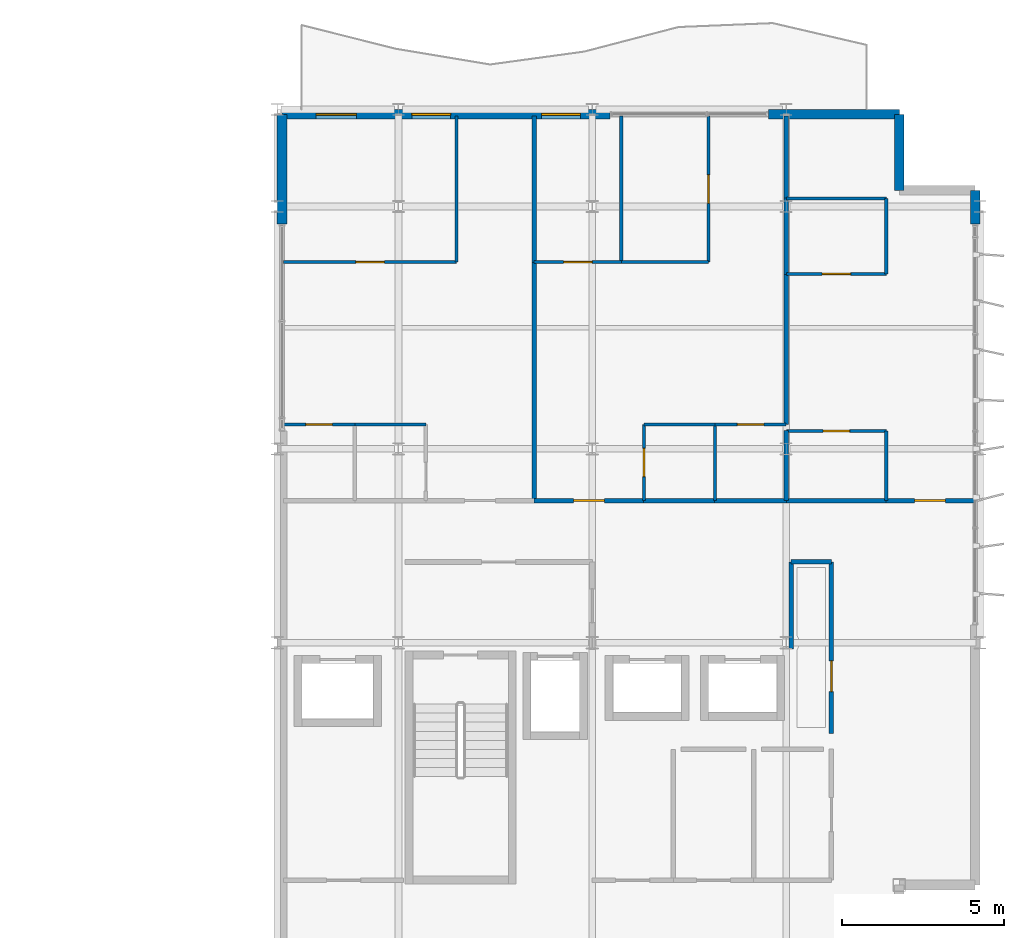
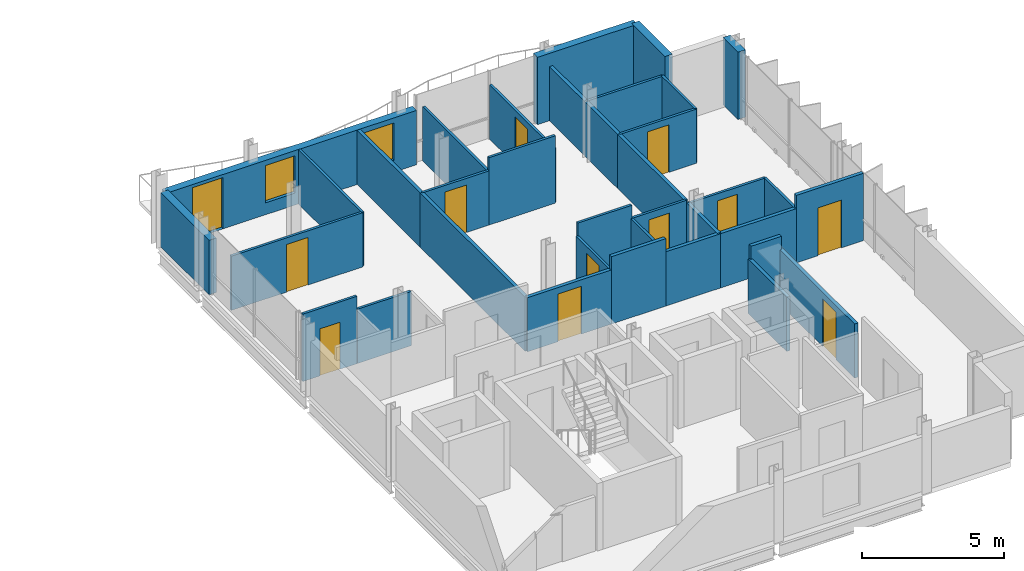
# One storey, part 25 of 30: 36 walls, 12 doors, 2 windows, 14 openings.
"""IFC4 building model written with IfcOpenShell, lengths in metres."""

from ifc_helpers import new_model, si_unit, direction, frame, frame_2d, origin, place, context, subcontext, project, spatial, rectangle, extrude, material, layer, layer_set, type_object, element, fill, save


model = new_model("IFC4")

# Units and contexts
model_context = context("Model", 3, precision=1e-05, world=origin(), true_north=direction((0.0, 1.0)))
body_context = subcontext(model_context, "Body", "Model", "MODEL_VIEW")
ifc_project = project(units=[si_unit("LENGTHUNIT", "METRE"), si_unit("AREAUNIT", "SQUARE_METRE"), si_unit("VOLUMEUNIT", "CUBIC_METRE"), si_unit("PLANEANGLEUNIT", "RADIAN"), si_unit("MASSUNIT", "GRAM", prefix="KILO")], contexts=[model_context])

# Site, building, storey
site_placement = place(None, origin())
site = spatial("IfcSite", under=ifc_project, at=site_placement, CompositionType="ELEMENT")
building_placement = place(site_placement, origin())
building = spatial("IfcBuilding", under=site, at=building_placement, Name="Brevholm Reach", CompositionType="ELEMENT")
storey_placement = place(building_placement, frame((0.0, 0.0, 204.89990234375)))
storey = spatial("IfcBuildingStorey", under=building, at=storey_placement, Name="L62", CompositionType="ELEMENT", Elevation=204.89990234375)

# Walls
ifc_material_1 = material(Name="Concrete C40/50", Category="concrete")
ifc_layer_1 = layer(ifc_material_1, 0.300048828125)
ifc_layer_set_1 = layer_set([ifc_layer_1], Name="Concrete C40/50")
wall_type_1 = type_object("IfcWallType", Name="WAL-EXT-300", PredefinedType="STANDARD", material=ifc_layer_set_1)
wall_1_placement = place(storey_placement, frame((57.5, 24.0, 0.0), z_axis=(0.0, 0.0, 1.0), x_axis=(0.0, 1.0, 0.0)))
element("IfcWall", 1, at=wall_1_placement, inside=storey, type_object=wall_type_1, Name="L62 Facade Wall WAL-L62-EW-CNE2", PredefinedType="STANDARD", context=body_context, shape_type="SweptSolid", body=[
    extrude(rectangle(XDim=2.35009765625, YDim=0.300048828125, at=frame_2d((1.175048828125, 0.0))), origin(), (0.0, 0.0, 1.0), 2.89013671875),
])
wall_2_placement = place(storey_placement, frame((38.39990234375, 26.35009765625, 0.0), z_axis=(0.0, 0.0, 1.0), x_axis=(0.0, -1.0, 0.0)))
element("IfcWall", 2, at=wall_2_placement, inside=storey, type_object=wall_type_1, Name="L62 Facade Wall WAL-L62-VP-EN", PredefinedType="STANDARD", context=body_context, shape_type="SweptSolid", body=[
    extrude(rectangle(XDim=3.400146484375, YDim=0.300048828125, at=frame_2d((1.7001953125, 0.0))), origin(), (0.0, 0.0, 1.0), 2.33203125),
])
wall_3_placement = place(storey_placement, frame((59.85009765625, 22.949951171875, 0.0), z_axis=(0.0, 0.0, 1.0), x_axis=(0.0, 1.0, 0.0)))
element("IfcWall", 3, at=wall_3_placement, inside=storey, type_object=wall_type_1, Name="L62 Facade Wall WAL-L62-EW-EN", PredefinedType="STANDARD", context=body_context, shape_type="SweptSolid", body=[
    extrude(rectangle(XDim=1.050048828125, YDim=0.300048828125, at=frame_2d((0.52490234375, 0.0))), origin(), (0.0, 0.0, 1.0), 2.89013671875),
])

# Wall, openings, door, windows
wall_4_placement = place(storey_placement, frame((38.39990234375, 26.35009765625, 0.0), z_axis=(0.0, 0.0, 1.0), x_axis=(1.0, 0.0, 0.0)))
wall_4 = element("IfcWall", 4, at=wall_4_placement, inside=storey, type_object=wall_type_1, Name="L62 Facade Wall WAL-L62-EW-NP1", PredefinedType="STANDARD", context=body_context, shape_type="SweptSolid", body=[
    extrude(rectangle(XDim=10.150146484375, YDim=0.300048828125, at=frame_2d((5.0751953125, 0.0))), origin(), (0.0, 0.0, 1.0), 2.33203125),
])
opening_1_placement = place(wall_4_placement, frame((1.051025390625, 0.0, 0.0)))
opening_1 = element("IfcOpeningElement", 5, at=opening_1_placement, cuts=wall_4, Name="Opening BD-02", PredefinedType="OPENING", context=body_context, shape_type="SweptSolid", body=[
    extrude(rectangle(XDim=1.25, YDim=2.199951171875, at=frame_2d((0.625, 1.10009765625))), frame((0.0, 0.159912109375, 0.0), z_axis=(0.0, -1.0, 0.0), x_axis=(1.0, 0.0, 0.0)), (0.0, 0.0, 1.0), 0.320068359375),
])
opening_2_placement = place(wall_4_placement, frame((4.02001953125, 0.0, 0.511962890625)))
opening_2 = element("IfcOpeningElement", 6, at=opening_2_placement, cuts=wall_4, Name="Opening WN-08", PredefinedType="OPENING", context=body_context, shape_type="SweptSolid", body=[
    extrude(rectangle(XDim=1.199951171875, YDim=1.60009765625, at=frame_2d((0.60009765625, 0.800048828125))), frame((0.0, 0.159912109375, 0.0), z_axis=(0.0, -1.0, 0.0), x_axis=(1.0, 0.0, 0.0)), (0.0, 0.0, 1.0), 0.320068359375),
])
opening_3_placement = place(wall_4_placement, frame((8.03125, 0.0, 0.511962890625)))
opening_3 = element("IfcOpeningElement", 7, at=opening_3_placement, cuts=wall_4, Name="Opening WN-08", PredefinedType="OPENING", context=body_context, shape_type="SweptSolid", body=[
    extrude(rectangle(XDim=1.199951171875, YDim=1.60009765625, at=frame_2d((0.60009765625, 0.800048828125))), frame((0.0, 0.159912109375, 0.0), z_axis=(0.0, -1.0, 0.0), x_axis=(1.0, 0.0, 0.0)), (0.0, 0.0, 1.0), 0.320068359375),
])
ifc_material_2 = material(Name="Dark Anodised Aluminium and Triple-Glazed Glass", Category="aluminium")
door_type_1 = type_object("IfcDoorType", Name="DOR-BALC-1250", OperationType="NOTDEFINED", PredefinedType="DOOR", material=ifc_material_2)
door_1_placement = place(opening_1_placement, origin())
door_1 = element("IfcDoor", 8, at=door_1_placement, inside=storey, type_object=door_type_1, Name="L62 Exterior Door DOR-L62-BL-NE", OperationType="SINGLE_SWING_LEFT", OverallHeight=2.199951171875, OverallWidth=1.25, PredefinedType="DOOR", context=body_context, shape_type="SweptSolid", body=[
    extrude(rectangle(XDim=1.25, YDim=2.199951171875, at=frame_2d((0.625, 1.10009765625))), frame((0.0, 0.02490234375, 0.0), z_axis=(0.0, -1.0, 0.0), x_axis=(1.0, 0.0, 0.0)), (0.0, 0.0, 1.0), 0.050048828125),
])
fill(opening_1, door_1)
ifc_material_3 = material(Name="Dark Anodised Aluminium and Solar-Control IGU Glass", Category="aluminium")
window_type = type_object("IfcWindowType", Name="WIN-RES-1200", PartitioningType="SINGLE_PANEL", PredefinedType="WINDOW", material=ifc_material_3)
window_1_placement = place(opening_2_placement, origin())
window_1 = element("IfcWindow", 9, at=window_1_placement, inside=storey, type_object=window_type, Name="L62 Window WIN-L62-EW-NP1", OverallHeight=1.60009765625, OverallWidth=1.199951171875, PartitioningType="SINGLE_PANEL", PredefinedType="WINDOW", context=body_context, shape_type="SweptSolid", body=[
    extrude(rectangle(XDim=1.199951171875, YDim=1.60009765625, at=frame_2d((0.60009765625, 0.800048828125))), frame((0.0, 0.030029296875, 0.0), z_axis=(0.0, -1.0, 0.0), x_axis=(1.0, 0.0, 0.0)), (0.0, 0.0, 1.0), 0.06005859375),
])
fill(opening_2, window_1)
window_2_placement = place(opening_3_placement, origin())
window_2 = element("IfcWindow", 10, at=window_2_placement, inside=storey, type_object=window_type, Name="L62 Bedroom Window 063", OverallHeight=1.60009765625, OverallWidth=1.199951171875, PartitioningType="SINGLE_PANEL", PredefinedType="WINDOW", context=body_context, shape_type="SweptSolid", body=[
    extrude(rectangle(XDim=1.199951171875, YDim=1.60009765625, at=frame_2d((0.60009765625, 0.800048828125))), frame((0.0, 0.030029296875, 0.0), z_axis=(0.0, -1.0, 0.0), x_axis=(1.0, 0.0, 0.0)), (0.0, 0.0, 1.0), 0.06005859375),
])
fill(opening_3, window_2)

# Wall
wall_5_placement = place(storey_placement, frame((53.449951171875, 26.35009765625, 0.0), z_axis=(0.0, 0.0, 1.0), x_axis=(1.0, 0.0, 0.0)))
element("IfcWall", 11, at=wall_5_placement, inside=storey, type_object=wall_type_1, Name="L62 Facade Wall WAL-L62-EW-NP2", PredefinedType="STANDARD", context=body_context, shape_type="SweptSolid", body=[
    extrude(rectangle(XDim=4.050048828125, YDim=0.300048828125, at=frame_2d((2.02490234375, 0.0))), origin(), (0.0, 0.0, 1.0), 2.89013671875),
])

# Wall, opening, door
ifc_material_4 = material(Name="Moisture-Resistant Acoustic Gypsum Stud Partition 100 mm", Category="gypsum")
ifc_layer_2 = layer(ifc_material_4, 0.10009765625)
ifc_layer_set_2 = layer_set([ifc_layer_2], Name="Moisture-Resistant Acoustic Gypsum Stud Partition 100 mm")
wall_type_2 = type_object("IfcWallType", Name="WAL-PRT-100", PredefinedType="PARTITIONING", material=ifc_layer_set_2)
wall_6_placement = place(storey_placement, frame((38.449951171875, 16.75, 0.0), z_axis=(0.0, 0.0, 1.0), x_axis=(1.0, 0.0, 0.0)))
wall_6 = element("IfcWall", 12, at=wall_6_placement, inside=storey, type_object=wall_type_2, Name="L62 Internal Partition 071", PredefinedType="PARTITIONING", context=body_context, shape_type="SweptSolid", body=[
    extrude(rectangle(XDim=2.199951171875, YDim=0.10009765625, at=frame_2d((1.10009765625, 0.0))), origin(), (0.0, 0.0, 1.0), 2.89013671875),
])
opening_4_placement = place(wall_6_placement, frame((0.68994140625, 0.0, 0.0)))
opening_4 = element("IfcOpeningElement", 13, at=opening_4_placement, cuts=wall_6, Name="Opening ID-03", PredefinedType="OPENING", context=body_context, shape_type="SweptSolid", body=[
    extrude(rectangle(XDim=0.820068359375, YDim=2.02001953125, at=frame_2d((0.41015625, 1.010009765625))), frame((0.0, 0.06005859375, 0.0), z_axis=(0.0, -1.0, 0.0), x_axis=(1.0, 0.0, 0.0)), (0.0, 0.0, 1.0), 0.1201171875),
])
ifc_material_5 = material(Name="Moisture-Resistant Painted Timber Internal Bathroom Door", Category="wood")
door_type_2 = type_object("IfcDoorType", Name="DOR-BATH-820", OperationType="NOTDEFINED", PredefinedType="DOOR", material=ifc_material_5)
door_2_placement = place(opening_4_placement, origin())
door_2 = element("IfcDoor", 14, at=door_2_placement, inside=storey, type_object=door_type_2, Name="L62 Internal Door 032", OperationType="SINGLE_SWING_LEFT", OverallHeight=2.02001953125, OverallWidth=0.820068359375, PredefinedType="DOOR", context=body_context, shape_type="SweptSolid", body=[
    extrude(rectangle(XDim=0.820068359375, YDim=2.02001953125, at=frame_2d((0.41015625, 1.010009765625))), frame((0.0, 0.02490234375, 0.0), z_axis=(0.0, -1.0, 0.0), x_axis=(1.0, 0.0, 0.0)), (0.0, 0.0, 1.0), 0.050048828125),
])
fill(opening_4, door_2)

# Wall
wall_7_placement = place(storey_placement, frame((40.654052734375, 16.75, 0.0), z_axis=(0.0, 0.0, 1.0), x_axis=(1.0, 0.0, 0.0)))
element("IfcWall", 15, at=wall_7_placement, inside=storey, type_object=wall_type_2, Name="L62 Internal Partition 073", PredefinedType="PARTITIONING", context=body_context, shape_type="SweptSolid", body=[
    extrude(rectangle(XDim=2.196044921875, YDim=0.10009765625, at=frame_2d((1.09814453125, 0.0))), origin(), (0.0, 0.0, 1.0), 2.32568359375),
])

# Wall, opening, door
wall_8_placement = place(storey_placement, frame((38.449951171875, 21.778076171875, 0.0), z_axis=(0.0, 0.0, 1.0), x_axis=(1.0, 0.0, 0.0)))
wall_8 = element("IfcWall", 16, at=wall_8_placement, inside=storey, type_object=wall_type_2, Name="L62 Internal Partition 074", PredefinedType="PARTITIONING", context=body_context, shape_type="SweptSolid", body=[
    extrude(rectangle(XDim=5.35009765625, YDim=0.10009765625, at=frame_2d((2.675048828125, 0.0))), origin(), (0.0, 0.0, 1.0), 2.32568359375),
])
opening_5_placement = place(wall_8_placement, frame((2.235107421875, 0.0, 0.0)))
opening_5 = element("IfcOpeningElement", 17, at=opening_5_placement, cuts=wall_8, Name="Opening ID-01", PredefinedType="OPENING", context=body_context, shape_type="SweptSolid", body=[
    extrude(rectangle(XDim=0.8798828125, YDim=2.0400390625, at=frame_2d((0.43994140625, 1.02001953125))), frame((0.0, 0.06005859375, 0.0), z_axis=(0.0, -1.0, 0.0), x_axis=(1.0, 0.0, 0.0)), (0.0, 0.0, 1.0), 0.1201171875),
])
ifc_material_6 = material(Name="Lacquered Ash Solid-Core Acoustic Internal Door", Category="timber")
door_type_3 = type_object("IfcDoorType", Name="DOR-INT-880", OperationType="NOTDEFINED", PredefinedType="DOOR", material=ifc_material_6)
door_3_placement = place(opening_5_placement, origin())
door_3 = element("IfcDoor", 18, at=door_3_placement, inside=storey, type_object=door_type_3, Name="L62 Internal Door 034", OperationType="SINGLE_SWING_LEFT", OverallHeight=2.0400390625, OverallWidth=0.8798828125, PredefinedType="DOOR", context=body_context, shape_type="SweptSolid", body=[
    extrude(rectangle(XDim=0.8798828125, YDim=2.0400390625, at=frame_2d((0.43994140625, 1.02001953125))), frame((0.0, 0.02490234375, 0.0), z_axis=(0.0, -1.0, 0.0), x_axis=(1.0, 0.0, 0.0)), (0.0, 0.0, 1.0), 0.050048828125),
])
fill(opening_5, door_3)

# Walls
wall_9_placement = place(storey_placement, frame((43.800048828125, 21.778076171875, 0.0), z_axis=(0.0, 0.0, 1.0), x_axis=(0.0, 1.0, 0.0)))
element("IfcWall", 19, at=wall_9_placement, inside=storey, type_object=wall_type_2, Name="L62 Internal Partition 075", PredefinedType="PARTITIONING", context=body_context, shape_type="SweptSolid", body=[
    extrude(rectangle(XDim=4.52197265625, YDim=0.10009765625, at=frame_2d((2.260986328125, 0.0))), origin(), (0.0, 0.0, 1.0), 2.32568359375),
])
wall_10_placement = place(storey_placement, frame((51.800048828125, 14.404052734375, 0.0), z_axis=(0.0, 0.0, 1.0), x_axis=(0.0, 1.0, 0.0)))
element("IfcWall", 20, at=wall_10_placement, inside=storey, type_object=wall_type_2, Name="L62 Internal Partition 078", PredefinedType="PARTITIONING", context=body_context, shape_type="SweptSolid", body=[
    extrude(rectangle(XDim=2.345947265625, YDim=0.10009765625, at=frame_2d((1.1728515625, 0.0))), origin(), (0.0, 0.0, 1.0), 2.32568359375),
])

# Wall, opening, door
wall_11_placement = place(storey_placement, frame((51.800048828125, 16.75, 0.0), z_axis=(0.0, 0.0, 1.0), x_axis=(1.0, 0.0, 0.0)))
wall_11 = element("IfcWall", 21, at=wall_11_placement, inside=storey, type_object=wall_type_2, Name="L62 Internal Partition 079", PredefinedType="PARTITIONING", context=body_context, shape_type="SweptSolid", body=[
    extrude(rectangle(XDim=2.199951171875, YDim=0.10009765625, at=frame_2d((1.10009765625, 0.0))), origin(), (0.0, 0.0, 1.0), 2.32568359375),
])
opening_6_placement = place(wall_11_placement, frame((0.68994140625, 0.0, 0.0)))
opening_6 = element("IfcOpeningElement", 22, at=opening_6_placement, cuts=wall_11, Name="Opening ID-03", PredefinedType="OPENING", context=body_context, shape_type="SweptSolid", body=[
    extrude(rectangle(XDim=0.820068359375, YDim=2.02001953125, at=frame_2d((0.41015625, 1.010009765625))), frame((0.0, 0.06005859375, 0.0), z_axis=(0.0, -1.0, 0.0), x_axis=(1.0, 0.0, 0.0)), (0.0, 0.0, 1.0), 0.1201171875),
])
door_4_placement = place(opening_6_placement, origin())
door_4 = element("IfcDoor", 23, at=door_4_placement, inside=storey, type_object=door_type_2, Name="L62 Internal Door 035", OperationType="SINGLE_SWING_RIGHT", OverallHeight=2.02001953125, OverallWidth=0.820068359375, PredefinedType="DOOR", context=body_context, shape_type="SweptSolid", body=[
    extrude(rectangle(XDim=0.820068359375, YDim=2.02001953125, at=frame_2d((0.41015625, 1.010009765625))), frame((0.0, 0.02490234375, 0.0), z_axis=(0.0, -1.0, 0.0), x_axis=(1.0, 0.0, 0.0)), (0.0, 0.0, 1.0), 0.050048828125),
])
fill(opening_6, door_4)

# Wall
wall_12_placement = place(storey_placement, frame((49.60009765625, 16.75, 0.0), z_axis=(0.0, 0.0, 1.0), x_axis=(1.0, 0.0, 0.0)))
element("IfcWall", 24, at=wall_12_placement, inside=storey, type_object=wall_type_2, Name="L62 Internal Partition 081", PredefinedType="PARTITIONING", context=body_context, shape_type="SweptSolid", body=[
    extrude(rectangle(XDim=2.19580078125, YDim=0.10009765625, at=frame_2d((1.097900390625, 0.0))), origin(), (0.0, 0.0, 1.0), 2.89013671875),
])

# Wall, opening, door
wall_13_placement = place(storey_placement, frame((49.60009765625, 14.404052734375, 0.0), z_axis=(0.0, 0.0, 1.0), x_axis=(0.0, 1.0, 0.0)))
wall_13 = element("IfcWall", 25, at=wall_13_placement, inside=storey, type_object=wall_type_2, Name="L62 Internal Partition 082", PredefinedType="PARTITIONING", context=body_context, shape_type="SweptSolid", body=[
    extrude(rectangle(XDim=2.345947265625, YDim=0.10009765625, at=frame_2d((1.1728515625, 0.0))), origin(), (0.0, 0.0, 1.0), 2.32568359375),
])
opening_7_placement = place(wall_13_placement, frame((0.73291015625, 0.0, 0.0)))
opening_7 = element("IfcOpeningElement", 26, at=opening_7_placement, cuts=wall_13, Name="Opening ID-01", PredefinedType="OPENING", context=body_context, shape_type="SweptSolid", body=[
    extrude(rectangle(XDim=0.8798828125, YDim=2.0400390625, at=frame_2d((0.43994140625, 1.02001953125))), frame((0.0, 0.06005859375, 0.0), z_axis=(0.0, -1.0, 0.0), x_axis=(1.0, 0.0, 0.0)), (0.0, 0.0, 1.0), 0.1201171875),
])
door_5_placement = place(opening_7_placement, origin())
door_5 = element("IfcDoor", 27, at=door_5_placement, inside=storey, type_object=door_type_3, Name="L62 Internal Door 036", OperationType="SINGLE_SWING_LEFT", OverallHeight=2.0400390625, OverallWidth=0.8798828125, PredefinedType="DOOR", context=body_context, shape_type="SweptSolid", body=[
    extrude(rectangle(XDim=0.8798828125, YDim=2.0400390625, at=frame_2d((0.43994140625, 1.02001953125))), frame((0.0, 0.02490234375, 0.0), z_axis=(0.0, -1.0, 0.0), x_axis=(1.0, 0.0, 0.0)), (0.0, 0.0, 1.0), 0.050048828125),
])
fill(opening_7, door_5)

# Wall
wall_14_placement = place(storey_placement, frame((48.89990234375, 21.778076171875, 0.0), z_axis=(0.0, 0.0, 1.0), x_axis=(0.0, 1.0, 0.0)))
element("IfcWall", 28, at=wall_14_placement, inside=storey, type_object=wall_type_2, Name="L62 Internal Partition 083", PredefinedType="PARTITIONING", context=body_context, shape_type="SweptSolid", body=[
    extrude(rectangle(XDim=4.52197265625, YDim=0.10009765625, at=frame_2d((2.260986328125, 0.0))), origin(), (0.0, 0.0, 1.0), 2.32568359375),
])

# Wall, opening, door
wall_15_placement = place(storey_placement, frame((46.2041015625, 21.778076171875, 0.0), z_axis=(0.0, 0.0, 1.0), x_axis=(1.0, 0.0, 0.0)))
wall_15 = element("IfcWall", 29, at=wall_15_placement, inside=storey, type_object=wall_type_2, Name="L62 Internal Partition 084", PredefinedType="PARTITIONING", context=body_context, shape_type="SweptSolid", body=[
    extrude(rectangle(XDim=2.69580078125, YDim=0.10009765625, at=frame_2d((1.347900390625, 0.0))), origin(), (0.0, 0.0, 1.0), 2.32568359375),
])
opening_8_placement = place(wall_15_placement, frame((0.907958984375, 0.0, 0.0)))
opening_8 = element("IfcOpeningElement", 30, at=opening_8_placement, cuts=wall_15, Name="Opening ID-01", PredefinedType="OPENING", context=body_context, shape_type="SweptSolid", body=[
    extrude(rectangle(XDim=0.8798828125, YDim=2.0400390625, at=frame_2d((0.43994140625, 1.02001953125))), frame((0.0, 0.06005859375, 0.0), z_axis=(0.0, -1.0, 0.0), x_axis=(1.0, 0.0, 0.0)), (0.0, 0.0, 1.0), 0.1201171875),
])
door_6_placement = place(opening_8_placement, origin())
door_6 = element("IfcDoor", 31, at=door_6_placement, inside=storey, type_object=door_type_3, Name="L62 Internal Door 037", OperationType="SINGLE_SWING_RIGHT", OverallHeight=2.0400390625, OverallWidth=0.8798828125, PredefinedType="DOOR", context=body_context, shape_type="SweptSolid", body=[
    extrude(rectangle(XDim=0.8798828125, YDim=2.0400390625, at=frame_2d((0.43994140625, 1.02001953125))), frame((0.0, 0.02490234375, 0.0), z_axis=(0.0, -1.0, 0.0), x_axis=(1.0, 0.0, 0.0)), (0.0, 0.0, 1.0), 0.050048828125),
])
fill(opening_8, door_6)

# Wall
wall_16_placement = place(storey_placement, frame((48.904052734375, 21.778076171875, 0.0), z_axis=(0.0, 0.0, 1.0), x_axis=(1.0, 0.0, 0.0)))
element("IfcWall", 32, at=wall_16_placement, inside=storey, type_object=wall_type_2, Name="L62 Internal Partition 085", PredefinedType="PARTITIONING", context=body_context, shape_type="SweptSolid", body=[
    extrude(rectangle(XDim=2.696044921875, YDim=0.10009765625, at=frame_2d((1.34814453125, 0.0))), origin(), (0.0, 0.0, 1.0), 2.89013671875),
])

# Wall, opening, door
wall_17_placement = place(storey_placement, frame((51.60009765625, 21.778076171875, 0.0), z_axis=(0.0, 0.0, 1.0), x_axis=(0.0, 1.0, 0.0)))
wall_17 = element("IfcWall", 33, at=wall_17_placement, inside=storey, type_object=wall_type_2, Name="L62 Internal Partition 086", PredefinedType="PARTITIONING", context=body_context, shape_type="SweptSolid", body=[
    extrude(rectangle(XDim=4.52197265625, YDim=0.10009765625, at=frame_2d((2.260986328125, 0.0))), origin(), (0.0, 0.0, 1.0), 2.32568359375),
])
opening_9_placement = place(wall_17_placement, frame((1.821044921875, 0.0, 0.0)))
opening_9 = element("IfcOpeningElement", 34, at=opening_9_placement, cuts=wall_17, Name="Opening ID-01", PredefinedType="OPENING", context=body_context, shape_type="SweptSolid", body=[
    extrude(rectangle(XDim=0.8798828125, YDim=2.0400390625, at=frame_2d((0.43994140625, 1.02001953125))), frame((0.0, 0.06005859375, 0.0), z_axis=(0.0, -1.0, 0.0), x_axis=(1.0, 0.0, 0.0)), (0.0, 0.0, 1.0), 0.1201171875),
])
door_7_placement = place(opening_9_placement, origin())
door_7 = element("IfcDoor", 35, at=door_7_placement, inside=storey, type_object=door_type_3, Name="L62 Internal Door 038", OperationType="SINGLE_SWING_LEFT", OverallHeight=2.0400390625, OverallWidth=0.8798828125, PredefinedType="DOOR", context=body_context, shape_type="SweptSolid", body=[
    extrude(rectangle(XDim=0.8798828125, YDim=2.0400390625, at=frame_2d((0.43994140625, 1.02001953125))), frame((0.0, 0.02490234375, 0.0), z_axis=(0.0, -1.0, 0.0), x_axis=(1.0, 0.0, 0.0)), (0.0, 0.0, 1.0), 0.050048828125),
])
fill(opening_9, door_7)

# Wall
wall_18_placement = place(storey_placement, frame((57.10009765625, 14.404052734375, 0.0), z_axis=(0.0, 0.0, 1.0), x_axis=(0.0, 1.0, 0.0)))
element("IfcWall", 36, at=wall_18_placement, inside=storey, type_object=wall_type_2, Name="L62 Internal Partition 090", PredefinedType="PARTITIONING", context=body_context, shape_type="SweptSolid", body=[
    extrude(rectangle(XDim=2.14697265625, YDim=0.10009765625, at=frame_2d((1.073486328125, 0.0))), origin(), (0.0, 0.0, 1.0), 2.32568359375),
])

# Wall, opening, door
wall_19_placement = place(storey_placement, frame((54.00390625, 16.551025390625, 0.0), z_axis=(0.0, 0.0, 1.0), x_axis=(1.0, 0.0, 0.0)))
wall_19 = element("IfcWall", 37, at=wall_19_placement, inside=storey, type_object=wall_type_2, Name="L62 Internal Partition 091", PredefinedType="PARTITIONING", context=body_context, shape_type="SweptSolid", body=[
    extrude(rectangle(XDim=3.09619140625, YDim=0.10009765625, at=frame_2d((1.548095703125, 0.0))), origin(), (0.0, 0.0, 1.0), 2.32568359375),
])
opening_10_placement = place(wall_19_placement, frame((1.137939453125, 0.0, 0.0)))
opening_10 = element("IfcOpeningElement", 38, at=opening_10_placement, cuts=wall_19, Name="Opening ID-03", PredefinedType="OPENING", context=body_context, shape_type="SweptSolid", body=[
    extrude(rectangle(XDim=0.820068359375, YDim=2.02001953125, at=frame_2d((0.41015625, 1.010009765625))), frame((0.0, 0.06005859375, 0.0), z_axis=(0.0, -1.0, 0.0), x_axis=(1.0, 0.0, 0.0)), (0.0, 0.0, 1.0), 0.1201171875),
])
door_8_placement = place(opening_10_placement, origin())
door_8 = element("IfcDoor", 39, at=door_8_placement, inside=storey, type_object=door_type_2, Name="L62 Internal Door 039", OperationType="SINGLE_SWING_RIGHT", OverallHeight=2.02001953125, OverallWidth=0.820068359375, PredefinedType="DOOR", context=body_context, shape_type="SweptSolid", body=[
    extrude(rectangle(XDim=0.820068359375, YDim=2.02001953125, at=frame_2d((0.41015625, 1.010009765625))), frame((0.0, 0.02490234375, 0.0), z_axis=(0.0, -1.0, 0.0), x_axis=(1.0, 0.0, 0.0)), (0.0, 0.0, 1.0), 0.050048828125),
])
fill(opening_10, door_8)

wall_20_placement = place(storey_placement, frame((54.00390625, 21.4130859375, 0.0), z_axis=(0.0, 0.0, 1.0), x_axis=(1.0, 0.0, 0.0)))
wall_20 = element("IfcWall", 40, at=wall_20_placement, inside=storey, type_object=wall_type_2, Name="L62 Internal Partition 092", PredefinedType="PARTITIONING", context=body_context, shape_type="SweptSolid", body=[
    extrude(rectangle(XDim=3.09619140625, YDim=0.10009765625, at=frame_2d((1.548095703125, 0.0))), origin(), (0.0, 0.0, 1.0), 2.32568359375),
])
opening_11_placement = place(wall_20_placement, frame((1.10791015625, 0.0, 0.0)))
opening_11 = element("IfcOpeningElement", 41, at=opening_11_placement, cuts=wall_20, Name="Opening ID-01", PredefinedType="OPENING", context=body_context, shape_type="SweptSolid", body=[
    extrude(rectangle(XDim=0.8798828125, YDim=2.0400390625, at=frame_2d((0.43994140625, 1.02001953125))), frame((0.0, 0.06005859375, 0.0), z_axis=(0.0, -1.0, 0.0), x_axis=(1.0, 0.0, 0.0)), (0.0, 0.0, 1.0), 0.1201171875),
])
door_9_placement = place(opening_11_placement, origin())
door_9 = element("IfcDoor", 42, at=door_9_placement, inside=storey, type_object=door_type_3, Name="L62 Internal Door 040", OperationType="SINGLE_SWING_LEFT", OverallHeight=2.0400390625, OverallWidth=0.8798828125, PredefinedType="DOOR", context=body_context, shape_type="SweptSolid", body=[
    extrude(rectangle(XDim=0.8798828125, YDim=2.0400390625, at=frame_2d((0.43994140625, 1.02001953125))), frame((0.0, 0.02490234375, 0.0), z_axis=(0.0, -1.0, 0.0), x_axis=(1.0, 0.0, 0.0)), (0.0, 0.0, 1.0), 0.050048828125),
])
fill(opening_11, door_9)

# Walls
wall_21_placement = place(storey_placement, frame((57.10009765625, 21.4130859375, 0.0), z_axis=(0.0, 0.0, 1.0), x_axis=(0.0, 1.0, 0.0)))
element("IfcWall", 43, at=wall_21_placement, inside=storey, type_object=wall_type_2, Name="L62 Internal Partition 093", PredefinedType="PARTITIONING", context=body_context, shape_type="SweptSolid", body=[
    extrude(rectangle(XDim=2.3369140625, YDim=0.10009765625, at=frame_2d((1.16845703125, 0.0))), origin(), (0.0, 0.0, 1.0), 2.32568359375),
])
wall_22_placement = place(storey_placement, frame((54.00390625, 23.75, 0.0), z_axis=(0.0, 0.0, 1.0), x_axis=(1.0, 0.0, 0.0)))
element("IfcWall", 44, at=wall_22_placement, inside=storey, type_object=wall_type_2, Name="L62 Internal Partition 094", PredefinedType="PARTITIONING", context=body_context, shape_type="SweptSolid", body=[
    extrude(rectangle(XDim=3.09619140625, YDim=0.10009765625, at=frame_2d((1.548095703125, 0.0))), origin(), (0.0, 0.0, 1.0), 2.32568359375),
])

# Wall, opening, door
ifc_material_7 = material(Name="Twin-Stud Acoustic Fire-Rated Gypsum Partition 140 mm", Category="gypsum")
ifc_layer_3 = layer(ifc_material_7, 0.139892578125)
ifc_layer_set_3 = layer_set([ifc_layer_3], Name="Twin-Stud Acoustic Fire-Rated Gypsum Partition 140 mm")
wall_type_3 = type_object("IfcWallType", Name="WAL-PRT-140", PredefinedType="PARTITIONING", material=ifc_layer_set_3)
wall_23_placement = place(storey_placement, frame((55.39990234375, 7.188720703125, 0.0), z_axis=(0.0, 0.0, 1.0), x_axis=(0.0, 1.0, 0.0)))
wall_23 = element("IfcWall", 45, at=wall_23_placement, inside=storey, type_object=wall_type_3, Name="L62 Internal Partition 006", PredefinedType="PARTITIONING", context=body_context, shape_type="SweptSolid", body=[
    extrude(rectangle(XDim=5.311279296875, YDim=0.139892578125, at=frame_2d((2.65576171875, 0.0))), origin(), (0.0, 0.0, 1.0), 2.32568359375),
])
opening_12_placement = place(wall_23_placement, frame((1.30078125, 0.0, 0.0)))
opening_12 = element("IfcOpeningElement", 46, at=opening_12_placement, cuts=wall_23, Name="Opening ID-30", PredefinedType="OPENING", context=body_context, shape_type="SweptSolid", body=[
    extrude(rectangle(XDim=0.949951171875, YDim=2.050048828125, at=frame_2d((0.47509765625, 1.02490234375))), frame((0.0, 0.079833984375, 0.0), z_axis=(0.0, -1.0, 0.0), x_axis=(1.0, 0.0, 0.0)), (0.0, 0.0, 1.0), 0.159912109375),
])
ifc_material_8 = material(Name="European Oak Veneered Solid-Core Fire Entrance Door", Category="timber")
door_type_4 = type_object("IfcDoorType", Name="DOR-FLT-FD30S", OperationType="NOTDEFINED", PredefinedType="DOOR", material=ifc_material_8)
door_10_placement = place(opening_12_placement, origin())
door_10 = element("IfcDoor", 47, at=door_10_placement, inside=storey, type_object=door_type_4, Name="L62 Internal Door 004", OperationType="SINGLE_SWING_LEFT", OverallHeight=2.050048828125, OverallWidth=0.949951171875, PredefinedType="DOOR", context=body_context, shape_type="SweptSolid", body=[
    extrude(rectangle(XDim=0.949951171875, YDim=2.050048828125, at=frame_2d((0.47509765625, 1.02490234375))), frame((0.0, 0.02490234375, 0.0), z_axis=(0.0, -1.0, 0.0), x_axis=(1.0, 0.0, 0.0)), (0.0, 0.0, 1.0), 0.050048828125),
])
fill(opening_12, door_10)

# Walls
wall_24_placement = place(storey_placement, frame((54.14990234375, 9.800048828125, 0.0), z_axis=(0.0, 0.0, 1.0), x_axis=(0.0, 1.0, 0.0)))
element("IfcWall", 48, at=wall_24_placement, inside=storey, type_object=wall_type_3, Name="L62 Internal Partition 029", PredefinedType="PARTITIONING", context=body_context, shape_type="SweptSolid", body=[
    extrude(rectangle(XDim=2.699951171875, YDim=0.139892578125, at=frame_2d((1.35009765625, 0.0))), origin(), (0.0, 0.0, 1.0), 2.32568359375),
])
wall_25_placement = place(storey_placement, frame((54.154052734375, 12.5, 0.0), z_axis=(0.0, 0.0, 1.0), x_axis=(1.0, 0.0, 0.0)))
element("IfcWall", 49, at=wall_25_placement, inside=storey, type_object=wall_type_3, Name="L62 Internal Partition 030", PredefinedType="PARTITIONING", context=body_context, shape_type="SweptSolid", body=[
    extrude(rectangle(XDim=1.241943359375, YDim=0.139892578125, at=frame_2d((0.62109375, 0.0))), origin(), (0.0, 0.0, 1.0), 2.89013671875),
])
wall_26_placement = place(storey_placement, frame((51.788818359375, 14.39990234375, 0.0), z_axis=(0.0, 0.0, 1.0), x_axis=(1.0, 0.0, 0.0)))
element("IfcWall", 50, at=wall_26_placement, inside=storey, type_object=wall_type_3, Name="L62 Internal Partition 034", PredefinedType="PARTITIONING", context=body_context, shape_type="SweptSolid", body=[
    extrude(rectangle(XDim=2.222412109375, YDim=0.139892578125, at=frame_2d((1.111328125, 0.0))), origin(), (0.0, 0.0, 1.0), 2.32568359375),
])
wall_27_placement = place(storey_placement, frame((49.588623046875, 14.39990234375, 0.0), z_axis=(0.0, 0.0, 1.0), x_axis=(1.0, 0.0, 0.0)))
element("IfcWall", 51, at=wall_27_placement, inside=storey, type_object=wall_type_3, Name="L62 Internal Partition 035", PredefinedType="PARTITIONING", context=body_context, shape_type="SweptSolid", body=[
    extrude(rectangle(XDim=2.21875, YDim=0.139892578125, at=frame_2d((1.109375, 0.0))), origin(), (0.0, 0.0, 1.0), 2.89013671875),
])

# Wall, opening, door
wall_28_placement = place(storey_placement, frame((46.192626953125, 14.39990234375, 0.0), z_axis=(0.0, 0.0, 1.0), x_axis=(1.0, 0.0, 0.0)))
wall_28 = element("IfcWall", 52, at=wall_28_placement, inside=storey, type_object=wall_type_3, Name="L62 Internal Partition 036", PredefinedType="PARTITIONING", context=body_context, shape_type="SweptSolid", body=[
    extrude(rectangle(XDim=3.414794921875, YDim=0.139892578125, at=frame_2d((1.70751953125, 0.0))), origin(), (0.0, 0.0, 1.0), 2.32568359375),
])
opening_13_placement = place(wall_28_placement, frame((1.232421875, 0.0, 0.0)))
opening_13 = element("IfcOpeningElement", 53, at=opening_13_placement, cuts=wall_28, Name="Opening ID-30", PredefinedType="OPENING", context=body_context, shape_type="SweptSolid", body=[
    extrude(rectangle(XDim=0.949951171875, YDim=2.050048828125, at=frame_2d((0.47509765625, 1.02490234375))), frame((0.0, 0.079833984375, 0.0), z_axis=(0.0, -1.0, 0.0), x_axis=(1.0, 0.0, 0.0)), (0.0, 0.0, 1.0), 0.159912109375),
])
door_11_placement = place(opening_13_placement, origin())
door_11 = element("IfcDoor", 54, at=door_11_placement, inside=storey, type_object=door_type_4, Name="L62 Internal Door 017", OperationType="SINGLE_SWING_RIGHT", OverallHeight=2.050048828125, OverallWidth=0.949951171875, PredefinedType="DOOR", context=body_context, shape_type="SweptSolid", body=[
    extrude(rectangle(XDim=0.949951171875, YDim=2.050048828125, at=frame_2d((0.47509765625, 1.02490234375))), frame((0.0, 0.02490234375, 0.0), z_axis=(0.0, -1.0, 0.0), x_axis=(1.0, 0.0, 0.0)), (0.0, 0.0, 1.0), 0.050048828125),
])
fill(opening_13, door_11)

# Wall
wall_29_placement = place(storey_placement, frame((53.99267578125, 14.39990234375, 0.0), z_axis=(0.0, 0.0, 1.0), x_axis=(1.0, 0.0, 0.0)))
element("IfcWall", 55, at=wall_29_placement, inside=storey, type_object=wall_type_3, Name="L62 Internal Partition 037", PredefinedType="PARTITIONING", context=body_context, shape_type="SweptSolid", body=[
    extrude(rectangle(XDim=3.11865234375, YDim=0.139892578125, at=frame_2d((1.559326171875, 0.0))), origin(), (0.0, 0.0, 1.0), 2.32568359375),
])

# Wall, opening, door
wall_30_placement = place(storey_placement, frame((57.0927734375, 14.39990234375, 0.0), z_axis=(0.0, 0.0, 1.0), x_axis=(1.0, 0.0, 0.0)))
wall_30 = element("IfcWall", 56, at=wall_30_placement, inside=storey, type_object=wall_type_3, Name="L62 Internal Partition 038", PredefinedType="PARTITIONING", context=body_context, shape_type="SweptSolid", body=[
    extrude(rectangle(XDim=2.718505859375, YDim=0.139892578125, at=frame_2d((1.359375, 0.0))), origin(), (0.0, 0.0, 1.0), 2.89013671875),
])
opening_14_placement = place(wall_30_placement, frame((0.88427734375, 0.0, 0.0)))
opening_14 = element("IfcOpeningElement", 57, at=opening_14_placement, cuts=wall_30, Name="Opening ID-30", PredefinedType="OPENING", context=body_context, shape_type="SweptSolid", body=[
    extrude(rectangle(XDim=0.949951171875, YDim=2.050048828125, at=frame_2d((0.47509765625, 1.02490234375))), frame((0.0, 0.079833984375, 0.0), z_axis=(0.0, -1.0, 0.0), x_axis=(1.0, 0.0, 0.0)), (0.0, 0.0, 1.0), 0.159912109375),
])
door_12_placement = place(opening_14_placement, origin())
door_12 = element("IfcDoor", 58, at=door_12_placement, inside=storey, type_object=door_type_4, Name="L62 Internal Door 018", OperationType="SINGLE_SWING_LEFT", OverallHeight=2.050048828125, OverallWidth=0.949951171875, PredefinedType="DOOR", context=body_context, shape_type="SweptSolid", body=[
    extrude(rectangle(XDim=0.949951171875, YDim=2.050048828125, at=frame_2d((0.47509765625, 1.02490234375))), frame((0.0, 0.02490234375, 0.0), z_axis=(0.0, -1.0, 0.0), x_axis=(1.0, 0.0, 0.0)), (0.0, 0.0, 1.0), 0.050048828125),
])
fill(opening_14, door_12)

# Walls
wall_31_placement = place(storey_placement, frame((46.199951171875, 21.7666015625, 0.0), z_axis=(0.0, 0.0, 1.0), x_axis=(0.0, 1.0, 0.0)))
element("IfcWall", 59, at=wall_31_placement, inside=storey, type_object=wall_type_3, Name="L62 Internal Partition 076", PredefinedType="PARTITIONING", context=body_context, shape_type="SweptSolid", body=[
    extrude(rectangle(XDim=4.533447265625, YDim=0.139892578125, at=frame_2d((2.2666015625, 0.0))), origin(), (0.0, 0.0, 1.0), 2.32568359375),
])
wall_32_placement = place(storey_placement, frame((46.199951171875, 14.404052734375, 0.0), z_axis=(0.0, 0.0, 1.0), x_axis=(0.0, 1.0, 0.0)))
element("IfcWall", 60, at=wall_32_placement, inside=storey, type_object=wall_type_3, Name="L62 Internal Partition 077", PredefinedType="PARTITIONING", context=body_context, shape_type="SweptSolid", body=[
    extrude(rectangle(XDim=7.38134765625, YDim=0.139892578125, at=frame_2d((3.690673828125, 0.0))), origin(), (0.0, 0.0, 1.0), 2.32568359375),
])
wall_33_placement = place(storey_placement, frame((54.0, 14.404052734375, 0.0), z_axis=(0.0, 0.0, 1.0), x_axis=(0.0, 1.0, 0.0)))
element("IfcWall", 61, at=wall_33_placement, inside=storey, type_object=wall_type_3, Name="L62 Internal Partition 080", PredefinedType="PARTITIONING", context=body_context, shape_type="SweptSolid", body=[
    extrude(rectangle(XDim=2.158203125, YDim=0.139892578125, at=frame_2d((1.0791015625, 0.0))), origin(), (0.0, 0.0, 1.0), 2.32568359375),
])
wall_34_placement = place(storey_placement, frame((54.0, 21.401611328125, 0.0), z_axis=(0.0, 0.0, 1.0), x_axis=(0.0, 1.0, 0.0)))
element("IfcWall", 62, at=wall_34_placement, inside=storey, type_object=wall_type_3, Name="L62 Internal Partition 087", PredefinedType="PARTITIONING", context=body_context, shape_type="SweptSolid", body=[
    extrude(rectangle(XDim=2.359619140625, YDim=0.139892578125, at=frame_2d((1.1796875, 0.0))), origin(), (0.0, 0.0, 1.0), 2.32568359375),
])
wall_35_placement = place(storey_placement, frame((54.0, 16.75390625, 0.0), z_axis=(0.0, 0.0, 1.0), x_axis=(0.0, 1.0, 0.0)))
element("IfcWall", 63, at=wall_35_placement, inside=storey, type_object=wall_type_3, Name="L62 Internal Partition 088", PredefinedType="PARTITIONING", context=body_context, shape_type="SweptSolid", body=[
    extrude(rectangle(XDim=4.66650390625, YDim=0.139892578125, at=frame_2d((2.333251953125, 0.0))), origin(), (0.0, 0.0, 1.0), 2.32568359375),
])
wall_36_placement = place(storey_placement, frame((54.0, 23.74267578125, 0.0), z_axis=(0.0, 0.0, 1.0), x_axis=(0.0, 1.0, 0.0)))
element("IfcWall", 64, at=wall_36_placement, inside=storey, type_object=wall_type_3, Name="L62 Internal Partition 089", PredefinedType="PARTITIONING", context=body_context, shape_type="SweptSolid", body=[
    extrude(rectangle(XDim=2.557373046875, YDim=0.139892578125, at=frame_2d((1.27880859375, 0.0))), origin(), (0.0, 0.0, 1.0), 2.32568359375),
])

save(model, "model.ifc")
